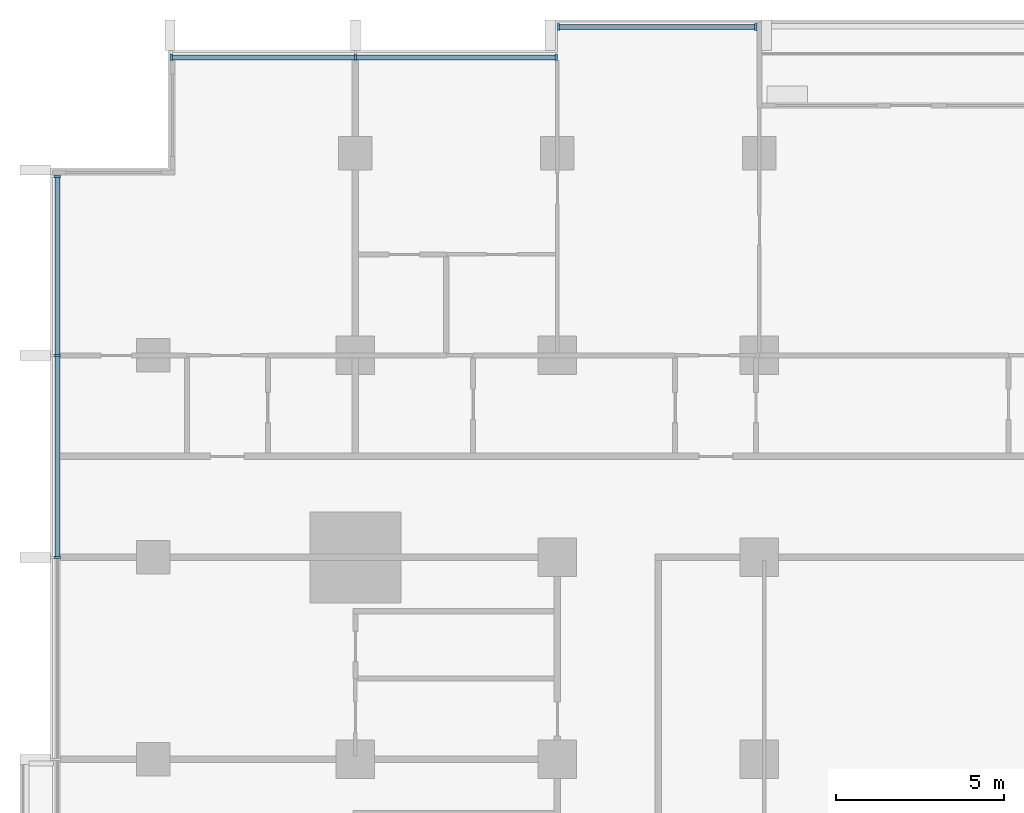
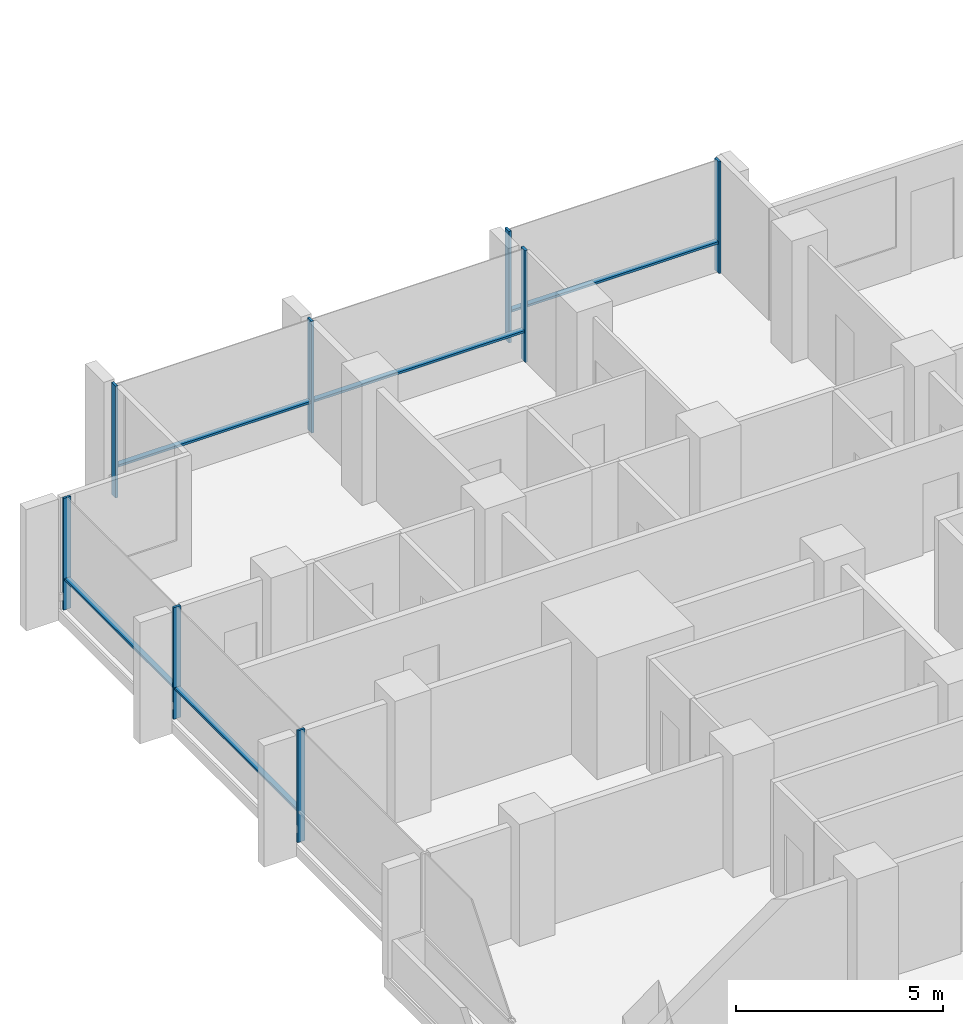
# One storey, part 4 of 17: 13 members, 3 elements without a shape of their own.
"""IFC4 building model written with IfcOpenShell, lengths in metres."""

from ifc_helpers import new_model, si_unit, direction, frame, origin, origin_2d, place, context, subcontext, project, spatial, rectangle, extrude, material, material_profile, profile_set, type_object, element, aggregate, save


model = new_model("IFC4")

# Units and contexts
model_context = context("Model", 3, precision=1e-05, world=origin(), true_north=direction((0.0, 1.0)))
body_context = subcontext(model_context, "Body", "Model", "MODEL_VIEW")
ifc_project = project(units=[si_unit("LENGTHUNIT", "METRE"), si_unit("AREAUNIT", "SQUARE_METRE"), si_unit("VOLUMEUNIT", "CUBIC_METRE"), si_unit("PLANEANGLEUNIT", "RADIAN"), si_unit("MASSUNIT", "GRAM", prefix="KILO")], contexts=[model_context])

# Site, building, storey
site_placement = place(None, origin())
site = spatial("IfcSite", under=ifc_project, at=site_placement, CompositionType="ELEMENT")
building_placement = place(site_placement, origin())
building = spatial("IfcBuilding", under=site, at=building_placement, Name="Finial Court Residences", CompositionType="ELEMENT")
storey_placement = place(building_placement, frame((0.0, 0.0, 124.300048828125)))
storey = spatial("IfcBuildingStorey", under=building, at=storey_placement, Name="L31", CompositionType="ELEMENT", Elevation=124.300048828125)

# Curtain wall, members
ifc_material = material(Name="Bronze anodised aluminium", Category="aluminium")
curtain_wall_type = type_object("IfcCurtainWallType", Name="Unitised curtain wall, lower and middle zones", PredefinedType="NOTDEFINED", material=ifc_material)
curtain_wall_1_placement = place(storey_placement, origin())
curtain_wall_1 = element("IfcCurtainWall", 1, at=curtain_wall_1_placement, inside=storey, type_object=curtain_wall_type, Name="E-L31-CW-N1", PredefinedType="NOTDEFINED")
ifc_material_profile_1 = material_profile(ifc_material, rectangle(XDim=0.199951171875, YDim=0.06494140625, at=origin_2d()), Name="CW1 mullion 65 x 200")
ifc_profile_set_1 = profile_set([ifc_material_profile_1], Name="Bronze anodised aluminium")
member_type_1 = type_object("IfcMemberType", Name="CW1 mullion 65 x 200", PredefinedType="MULLION", material=ifc_profile_set_1)
member_1_placement = place(storey_placement, frame((-21.967529296875, 22.35009765625, 0.0), z_axis=(0.0, 0.0, 1.0), x_axis=(0.0, 1.0, 0.0)))
member_1 = element("IfcMember", 2, at=member_1_placement, type_object=member_type_1, Name="CW1 mullion 1", PredefinedType="MULLION", context=body_context, shape_type="SweptSolid", body=[
    extrude(rectangle(XDim=0.199951171875, YDim=0.06494140625, at=origin_2d()), origin(), (0.0, 0.0, 1.0), 3.300048828125),
])
member_2_placement = place(storey_placement, frame((-16.5, 22.35009765625, 0.0), z_axis=(0.0, 0.0, 1.0), x_axis=(0.0, 1.0, 0.0)))
member_2 = element("IfcMember", 3, at=member_2_placement, type_object=member_type_1, Name="CW1 mullion 2", PredefinedType="MULLION", context=body_context, shape_type="SweptSolid", body=[
    extrude(rectangle(XDim=0.199951171875, YDim=0.06494140625, at=origin_2d()), origin(), (0.0, 0.0, 1.0), 3.300048828125),
])
member_3_placement = place(storey_placement, frame((-10.532470703125, 22.35009765625, 0.0), z_axis=(0.0, 0.0, 1.0), x_axis=(0.0, 1.0, 0.0)))
member_3 = element("IfcMember", 4, at=member_3_placement, type_object=member_type_1, Name="CW1 mullion 3", PredefinedType="MULLION", context=body_context, shape_type="SweptSolid", body=[
    extrude(rectangle(XDim=0.199951171875, YDim=0.06494140625, at=origin_2d()), origin(), (0.0, 0.0, 1.0), 3.300048828125),
])

curtain_wall_2_placement = place(storey_placement, origin())
curtain_wall_2 = element("IfcCurtainWall", 5, at=curtain_wall_2_placement, inside=storey, type_object=curtain_wall_type, Name="E-L31-CW-N2", PredefinedType="NOTDEFINED")
member_4_placement = place(storey_placement, frame((-10.467529296875, 23.25, 0.0), z_axis=(0.0, 0.0, 1.0), x_axis=(0.0, 1.0, 0.0)))
member_4 = element("IfcMember", 6, at=member_4_placement, type_object=member_type_1, Name="CW1 mullion 1", PredefinedType="MULLION", context=body_context, shape_type="SweptSolid", body=[
    extrude(rectangle(XDim=0.199951171875, YDim=0.06494140625, at=origin_2d()), origin(), (0.0, 0.0, 1.0), 3.300048828125),
])
member_5_placement = place(storey_placement, frame((-4.607421875, 23.25, 0.0), z_axis=(0.0, 0.0, 1.0), x_axis=(0.0, 1.0, 0.0)))
member_5 = element("IfcMember", 7, at=member_5_placement, type_object=member_type_1, Name="CW1 mullion 2", PredefinedType="MULLION", context=body_context, shape_type="SweptSolid", body=[
    extrude(rectangle(XDim=0.199951171875, YDim=0.06494140625, at=origin_2d()), origin(), (0.0, 0.0, 1.0), 3.300048828125),
])

curtain_wall_3_placement = place(storey_placement, origin())
curtain_wall_3 = element("IfcCurtainWall", 8, at=curtain_wall_3_placement, inside=storey, type_object=curtain_wall_type, Name="E-L31-CW-W11", PredefinedType="NOTDEFINED")
member_6_placement = place(storey_placement, frame((-25.35009765625, 7.5, 0.0), z_axis=(0.0, 0.0, 1.0), x_axis=(-1.0, 0.0, 0.0)))
member_6 = element("IfcMember", 9, at=member_6_placement, type_object=member_type_1, Name="CW1 mullion 3", PredefinedType="MULLION", context=body_context, shape_type="SweptSolid", body=[
    extrude(rectangle(XDim=0.199951171875, YDim=0.06494140625, at=origin_2d()), origin(), (0.0, 0.0, 1.0), 3.300048828125),
])
member_7_placement = place(storey_placement, frame((-25.35009765625, 13.5, 0.0), z_axis=(0.0, 0.0, 1.0), x_axis=(-1.0, 0.0, 0.0)))
member_7 = element("IfcMember", 10, at=member_7_placement, type_object=member_type_1, Name="CW1 mullion 4", PredefinedType="MULLION", context=body_context, shape_type="SweptSolid", body=[
    extrude(rectangle(XDim=0.199951171875, YDim=0.06494140625, at=origin_2d()), origin(), (0.0, 0.0, 1.0), 3.300048828125),
])
member_8_placement = place(storey_placement, frame((-25.35009765625, 18.8173828125, 0.0), z_axis=(0.0, 0.0, 1.0), x_axis=(-1.0, 0.0, 0.0)))
member_8 = element("IfcMember", 11, at=member_8_placement, type_object=member_type_1, Name="CW1 mullion 5", PredefinedType="MULLION", context=body_context, shape_type="SweptSolid", body=[
    extrude(rectangle(XDim=0.199951171875, YDim=0.06494140625, at=origin_2d()), origin(), (0.0, 0.0, 1.0), 3.300048828125),
])

# Member
ifc_material_profile_2 = material_profile(ifc_material, rectangle(XDim=0.14990234375, YDim=0.06494140625, at=origin_2d()), Name="CW1 transom 65 x 150")
ifc_profile_set_2 = profile_set([ifc_material_profile_2], Name="Bronze anodised aluminium")
member_type_2 = type_object("IfcMemberType", Name="CW1 transom 65 x 150", PredefinedType="USERDEFINED", material=ifc_profile_set_2)
member_9_placement = place(storey_placement, frame((-21.93505859375, 22.35009765625, 0.89990234375), z_axis=(1.0, 0.0, 0.0), x_axis=(0.0, 1.0, 0.0)))
member_9 = element("IfcMember", 12, at=member_9_placement, type_object=member_type_2, Name="CW1 transom 1.1", ObjectType="TRANSOM", PredefinedType="USERDEFINED", context=body_context, shape_type="SweptSolid", body=[
    extrude(rectangle(XDim=0.14990234375, YDim=0.06494140625, at=origin_2d()), origin(), (0.0, 0.0, 1.0), 5.402587890625),
])

member_10_placement = place(storey_placement, frame((-16.467529296875, 22.35009765625, 0.89990234375), z_axis=(1.0, 0.0, 0.0), x_axis=(0.0, 1.0, 0.0)))
member_10 = element("IfcMember", 13, at=member_10_placement, type_object=member_type_2, Name="CW1 transom 2.1", ObjectType="TRANSOM", PredefinedType="USERDEFINED", context=body_context, shape_type="SweptSolid", body=[
    extrude(rectangle(XDim=0.14990234375, YDim=0.06494140625, at=origin_2d()), origin(), (0.0, 0.0, 1.0), 5.902587890625),
])

aggregate(curtain_wall_1, [member_1, member_2, member_3, member_9, member_10])

member_11_placement = place(storey_placement, frame((-10.43505859375, 23.25, 0.89990234375), z_axis=(1.0, 0.0, 0.0), x_axis=(0.0, 1.0, 0.0)))
member_11 = element("IfcMember", 14, at=member_11_placement, type_object=member_type_2, Name="CW1 transom 1.1", ObjectType="TRANSOM", PredefinedType="USERDEFINED", context=body_context, shape_type="SweptSolid", body=[
    extrude(rectangle(XDim=0.14990234375, YDim=0.06494140625, at=origin_2d()), origin(), (0.0, 0.0, 1.0), 5.795166015625),
])

aggregate(curtain_wall_2, [member_4, member_5, member_11])

member_12_placement = place(storey_placement, frame((-25.35009765625, 7.532470703125, 0.89990234375), z_axis=(0.0, 1.0, 0.0), x_axis=(-1.0, 0.0, 0.0)))
member_12 = element("IfcMember", 15, at=member_12_placement, type_object=member_type_2, Name="CW1 transom 3.1", ObjectType="TRANSOM", PredefinedType="USERDEFINED", context=body_context, shape_type="SweptSolid", body=[
    extrude(rectangle(XDim=0.14990234375, YDim=0.06494140625, at=origin_2d()), origin(), (0.0, 0.0, 1.0), 5.93505859375),
])

member_13_placement = place(storey_placement, frame((-25.35009765625, 13.532470703125, 0.89990234375), z_axis=(0.0, 1.0, 0.0), x_axis=(-1.0, 0.0, 0.0)))
member_13 = element("IfcMember", 16, at=member_13_placement, type_object=member_type_2, Name="CW1 transom 4.1", ObjectType="TRANSOM", PredefinedType="USERDEFINED", context=body_context, shape_type="SweptSolid", body=[
    extrude(rectangle(XDim=0.14990234375, YDim=0.06494140625, at=origin_2d()), origin(), (0.0, 0.0, 1.0), 5.25244140625),
])

aggregate(curtain_wall_3, [member_6, member_7, member_8, member_12, member_13])

save(model, "model.ifc")
